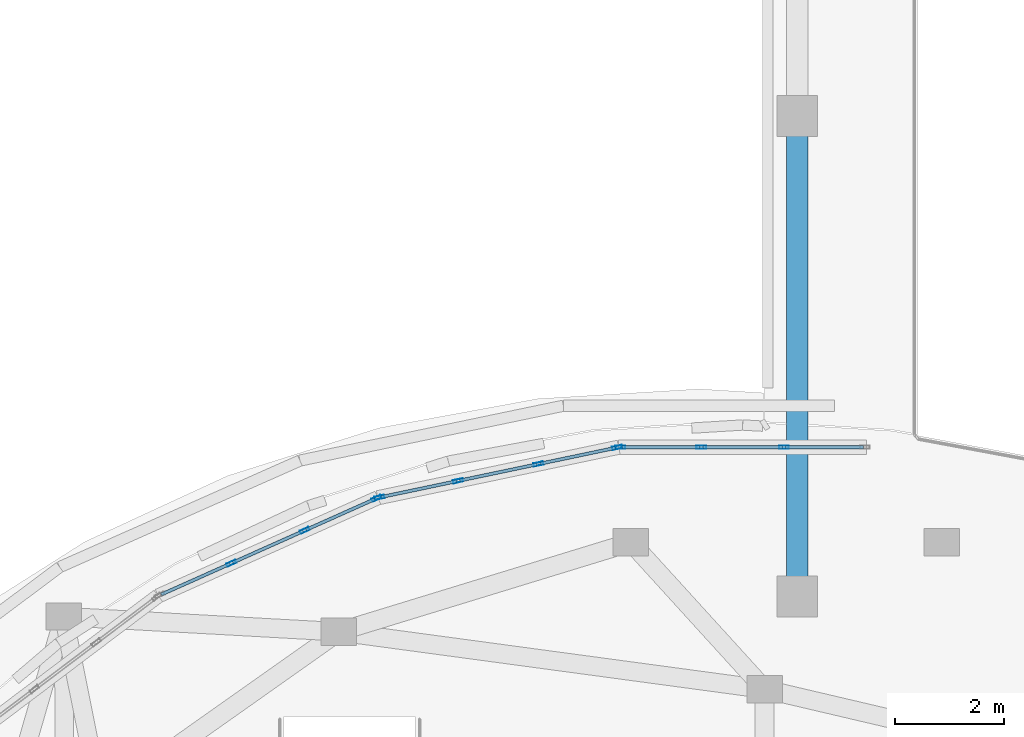
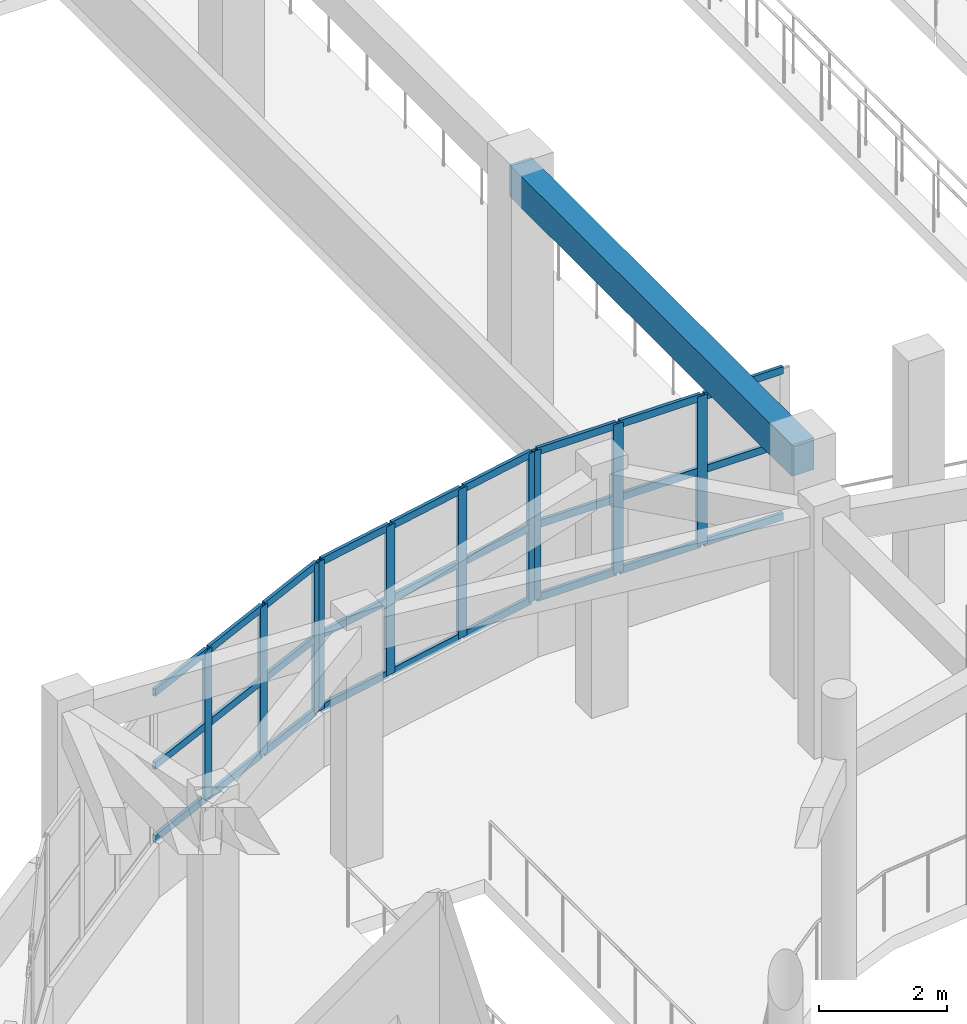
# One storey, part 15 of 98: 37 members, 1 beam, 3 elements without a shape of their own.
"""IFC4 building model written with IfcOpenShell, lengths in metres."""

from ifc_helpers import new_model, si_unit, direction, frame, origin, origin_2d, place, context, subcontext, project, spatial, rectangle, hollow_rectangle, extrude, material, layer, layer_set, material_profile, profile_set, type_object, element, aggregate, save


model = new_model("IFC4")

# Units and contexts
model_context = context("Model", 3, precision=1e-05, world=origin(), true_north=direction((0.0, 1.0)))
body_context = subcontext(model_context, "Body", "Model", "MODEL_VIEW")
ifc_project = project(units=[si_unit("LENGTHUNIT", "METRE"), si_unit("AREAUNIT", "SQUARE_METRE"), si_unit("VOLUMEUNIT", "CUBIC_METRE"), si_unit("PLANEANGLEUNIT", "RADIAN"), si_unit("MASSUNIT", "GRAM", prefix="KILO")], contexts=[model_context])

# Site, building, storey
site_placement = place(None, origin())
site = spatial("IfcSite", under=ifc_project, at=site_placement, CompositionType="ELEMENT")
building_placement = place(site_placement, origin())
building = spatial("IfcBuilding", under=site, at=building_placement, Name="Pelvatis Terrace Science Centre", CompositionType="ELEMENT")
storey_placement = place(building_placement, frame((0.0, 0.0, 5.39990234375)))
storey = spatial("IfcBuildingStorey", under=building, at=storey_placement, Name="L01", CompositionType="ELEMENT", Elevation=5.39990234375)

# Beam
ifc_material_1 = material(Name="Concrete C35/45", Category="concrete")
ifc_material_profile_1 = material_profile(ifc_material_1, rectangle(XDim=0.39990234375, YDim=0.60009765625, at=origin_2d()), Name="RC-BM 400x600")
ifc_profile_set_1 = profile_set([ifc_material_profile_1], Name="Concrete C35/45")
beam_type = type_object("IfcBeamType", Name="BM-RC-400x600", PredefinedType="BEAM", material=ifc_profile_set_1)
beam_placement = place(storey_placement, frame((47.39990234375, 48.0, 4.239990234375), z_axis=(0.0, 1.0, 0.0), x_axis=(-1.0, 0.0, 0.0)))
element("IfcBeam", 1, at=beam_placement, inside=storey, type_object=beam_type, Name="Beam BM-L01-2833", PredefinedType="BEAM", context=body_context, shape_type="SweptSolid", body=[
    extrude(rectangle(XDim=0.39990234375, YDim=0.60009765625, at=origin_2d()), origin(), (0.0, 0.0, 1.0), 8.800048828125),
])

# Curtain wall, members
ifc_material_2 = material(Name="Bronze-anodised aluminium and laminated glass", Category="aluminium")
ifc_layer = layer(ifc_material_2, 0.179931640625)
ifc_layer_set = layer_set([ifc_layer], Name="Bronze-anodised aluminium and laminated glass")
curtain_wall_type = type_object("IfcCurtainWallType", Name="CW-RIBBON-A", PredefinedType="NOTDEFINED", material=ifc_layer_set)
curtain_wall_1_placement = place(storey_placement, origin())
curtain_wall_1 = element("IfcCurtainWall", 2, at=curtain_wall_1_placement, inside=storey, type_object=curtain_wall_type, Name="Ribbon curtain wall CW-023 (L01)", PredefinedType="NOTDEFINED")
ifc_material_3 = material(Name="Bronze-anodised aluminium 6063-T6", Category="aluminium")
ifc_material_profile_2 = material_profile(ifc_material_3, hollow_rectangle(XDim=0.06005859375, YDim=0.179931640625, WallThickness=0.00390625, at=origin_2d()), Name="ALU-MUL 60x180")
ifc_profile_set_2 = profile_set([ifc_material_profile_2], Name="Bronze-anodised aluminium 6063-T6")
member_type_1 = type_object("IfcMemberType", Name="CWM-60x180", PredefinedType="MULLION", material=ifc_profile_set_2)
member_1_placement = place(storey_placement, frame((47.157470703125, 50.73291015625, 1.02001953125), z_axis=(0.0, 0.0, 1.0), x_axis=(0.0, -1.0, 0.0)))
member_1 = element("IfcMember", 3, at=member_1_placement, type_object=member_type_1, Name="CW-023 mullion 2", PredefinedType="MULLION", context=body_context, shape_type="SweptSolid", body=[
    extrude(hollow_rectangle(XDim=0.06005859375, YDim=0.179931640625, WallThickness=0.00390625, at=origin_2d()), origin(), (0.0, 0.0, 1.0), 2.840087890625),
])
member_2_placement = place(storey_placement, frame((45.642578125, 50.73291015625, 1.02001953125), z_axis=(0.0, 0.0, 1.0), x_axis=(0.0, -1.0, 0.0)))
member_2 = element("IfcMember", 4, at=member_2_placement, type_object=member_type_1, Name="CW-023 mullion 3", PredefinedType="MULLION", context=body_context, shape_type="SweptSolid", body=[
    extrude(hollow_rectangle(XDim=0.06005859375, YDim=0.179931640625, WallThickness=0.00390625, at=origin_2d()), origin(), (0.0, 0.0, 1.0), 2.840087890625),
])
member_3_placement = place(storey_placement, frame((44.157958984375, 50.73291015625, 1.02001953125), z_axis=(0.0, 0.0, 1.0), x_axis=(0.0, -1.0, 0.0)))
member_3 = element("IfcMember", 5, at=member_3_placement, type_object=member_type_1, Name="CW-023 mullion 4", PredefinedType="MULLION", context=body_context, shape_type="SweptSolid", body=[
    extrude(hollow_rectangle(XDim=0.06005859375, YDim=0.179931640625, WallThickness=0.00390625, at=origin_2d()), origin(), (0.0, 0.0, 1.0), 2.840087890625),
])

curtain_wall_2_placement = place(storey_placement, origin())
curtain_wall_2 = element("IfcCurtainWall", 6, at=curtain_wall_2_placement, inside=storey, type_object=curtain_wall_type, Name="Ribbon curtain wall CW-024 (L01)", PredefinedType="NOTDEFINED")
member_4_placement = place(storey_placement, frame((44.0986328125, 50.726806640625, 1.02001953125), z_axis=(0.0, 0.0, 1.0), x_axis=(0.205397839698, -0.978678561862, 0.0)))
member_4 = element("IfcMember", 7, at=member_4_placement, type_object=member_type_1, Name="CW-024 mullion 1", PredefinedType="MULLION", context=body_context, shape_type="SweptSolid", body=[
    extrude(hollow_rectangle(XDim=0.06005859375, YDim=0.179931640625, WallThickness=0.00390625, at=origin_2d()), origin(), (0.0, 0.0, 1.0), 2.840087890625),
])
member_5_placement = place(storey_placement, frame((42.6572265625, 50.42431640625, 1.02001953125), z_axis=(0.0, 0.0, 1.0), x_axis=(0.205397839698, -0.978678561862, 0.0)))
member_5 = element("IfcMember", 8, at=member_5_placement, type_object=member_type_1, Name="CW-024 mullion 2", PredefinedType="MULLION", context=body_context, shape_type="SweptSolid", body=[
    extrude(hollow_rectangle(XDim=0.06005859375, YDim=0.179931640625, WallThickness=0.00390625, at=origin_2d()), origin(), (0.0, 0.0, 1.0), 2.840087890625),
])
member_6_placement = place(storey_placement, frame((41.1865234375, 50.11572265625, 1.02001953125), z_axis=(0.0, 0.0, 1.0), x_axis=(0.205397839698, -0.978678561862, 0.0)))
member_6 = element("IfcMember", 9, at=member_6_placement, type_object=member_type_1, Name="CW-024 mullion 3", PredefinedType="MULLION", context=body_context, shape_type="SweptSolid", body=[
    extrude(hollow_rectangle(XDim=0.06005859375, YDim=0.179931640625, WallThickness=0.00390625, at=origin_2d()), origin(), (0.0, 0.0, 1.0), 2.840087890625),
])
member_7_placement = place(storey_placement, frame((39.7451171875, 49.813232421875, 1.02001953125), z_axis=(0.0, 0.0, 1.0), x_axis=(0.205397839698, -0.978678561862, 0.0)))
member_7 = element("IfcMember", 10, at=member_7_placement, type_object=member_type_1, Name="CW-024 mullion 4", PredefinedType="MULLION", context=body_context, shape_type="SweptSolid", body=[
    extrude(hollow_rectangle(XDim=0.06005859375, YDim=0.179931640625, WallThickness=0.00390625, at=origin_2d()), origin(), (0.0, 0.0, 1.0), 2.840087890625),
])

curtain_wall_3_placement = place(storey_placement, origin())
curtain_wall_3 = element("IfcCurtainWall", 11, at=curtain_wall_3_placement, inside=storey, type_object=curtain_wall_type, Name="Ribbon curtain wall CW-025 (L01)", PredefinedType="NOTDEFINED")
member_8_placement = place(storey_placement, frame((39.688232421875, 49.794677734375, 1.02001953125), z_axis=(0.0, 0.0, 1.0), x_axis=(0.407992377394, -0.91298533394, 0.0)))
member_8 = element("IfcMember", 12, at=member_8_placement, type_object=member_type_1, Name="CW-025 mullion 1", PredefinedType="MULLION", context=body_context, shape_type="SweptSolid", body=[
    extrude(hollow_rectangle(XDim=0.06005859375, YDim=0.179931640625, WallThickness=0.00390625, at=origin_2d()), origin(), (0.0, 0.0, 1.0), 2.840087890625),
])
member_9_placement = place(storey_placement, frame((38.37451171875, 49.20751953125, 1.02001953125), z_axis=(0.0, 0.0, 1.0), x_axis=(0.407992377394, -0.91298533394, 0.0)))
member_9 = element("IfcMember", 13, at=member_9_placement, type_object=member_type_1, Name="CW-025 mullion 2", PredefinedType="MULLION", context=body_context, shape_type="SweptSolid", body=[
    extrude(hollow_rectangle(XDim=0.06005859375, YDim=0.179931640625, WallThickness=0.00390625, at=origin_2d()), origin(), (0.0, 0.0, 1.0), 2.840087890625),
])
member_10_placement = place(storey_placement, frame((37.033203125, 48.608154296875, 1.02001953125), z_axis=(0.0, 0.0, 1.0), x_axis=(0.407992377394, -0.91298533394, 0.0)))
member_10 = element("IfcMember", 14, at=member_10_placement, type_object=member_type_1, Name="CW-025 mullion 3", PredefinedType="MULLION", context=body_context, shape_type="SweptSolid", body=[
    extrude(hollow_rectangle(XDim=0.06005859375, YDim=0.179931640625, WallThickness=0.00390625, at=origin_2d()), origin(), (0.0, 0.0, 1.0), 2.840087890625),
])

# Member
ifc_material_4 = material(Name="Bronze-anodised aluminium 6063-T6", Category="aluminium")
ifc_material_profile_3 = material_profile(ifc_material_4, hollow_rectangle(XDim=0.06005859375, YDim=0.139892578125, WallThickness=0.00390625, at=origin_2d()), Name="ALU-TRN 60x140")
ifc_profile_set_3 = profile_set([ifc_material_profile_3], Name="Bronze-anodised aluminium 6063-T6")
member_type_2 = type_object("IfcMemberType", Name="CWT-60x140", PredefinedType="USERDEFINED", material=ifc_profile_set_3)
member_11_placement = place(storey_placement, frame((48.612060546875, 50.73291015625, 1.050048828125), z_axis=(-1.0, 0.0, 0.0), x_axis=(0.0, -1.0, 0.0)))
member_11 = element("IfcMember", 15, at=member_11_placement, type_object=member_type_2, Name="CW-023 transom 1.1", ObjectType="TRANSOM", PredefinedType="USERDEFINED", context=body_context, shape_type="SweptSolid", body=[
    extrude(hollow_rectangle(XDim=0.06005859375, YDim=0.139892578125, WallThickness=0.00390625, at=origin_2d()), origin(), (0.0, 0.0, 1.0), 1.4248046875),
])

member_12_placement = place(storey_placement, frame((48.612060546875, 50.73291015625, 2.440185546875), z_axis=(-1.0, 0.0, 0.0), x_axis=(0.0, -1.0, 0.0)))
member_12 = element("IfcMember", 16, at=member_12_placement, type_object=member_type_2, Name="CW-023 transom 1.2", ObjectType="TRANSOM", PredefinedType="USERDEFINED", context=body_context, shape_type="SweptSolid", body=[
    extrude(hollow_rectangle(XDim=0.06005859375, YDim=0.139892578125, WallThickness=0.00390625, at=origin_2d()), origin(), (0.0, 0.0, 1.0), 1.4248046875),
])

member_13_placement = place(storey_placement, frame((48.612060546875, 50.73291015625, 3.830078125), z_axis=(-1.0, 0.0, 0.0), x_axis=(0.0, -1.0, 0.0)))
member_13 = element("IfcMember", 17, at=member_13_placement, type_object=member_type_2, Name="CW-023 transom 1.3", ObjectType="TRANSOM", PredefinedType="USERDEFINED", context=body_context, shape_type="SweptSolid", body=[
    extrude(hollow_rectangle(XDim=0.06005859375, YDim=0.139892578125, WallThickness=0.00390625, at=origin_2d()), origin(), (0.0, 0.0, 1.0), 1.4248046875),
])

member_14_placement = place(storey_placement, frame((47.12744140625, 50.73291015625, 1.050048828125), z_axis=(-1.0, 0.0, 0.0), x_axis=(0.0, -1.0, 0.0)))
member_14 = element("IfcMember", 18, at=member_14_placement, type_object=member_type_2, Name="CW-023 transom 2.1", ObjectType="TRANSOM", PredefinedType="USERDEFINED", context=body_context, shape_type="SweptSolid", body=[
    extrude(hollow_rectangle(XDim=0.06005859375, YDim=0.139892578125, WallThickness=0.00390625, at=origin_2d()), origin(), (0.0, 0.0, 1.0), 1.454833984375),
])

member_15_placement = place(storey_placement, frame((47.12744140625, 50.73291015625, 2.440185546875), z_axis=(-1.0, 0.0, 0.0), x_axis=(0.0, -1.0, 0.0)))
member_15 = element("IfcMember", 19, at=member_15_placement, type_object=member_type_2, Name="CW-023 transom 2.2", ObjectType="TRANSOM", PredefinedType="USERDEFINED", context=body_context, shape_type="SweptSolid", body=[
    extrude(hollow_rectangle(XDim=0.06005859375, YDim=0.139892578125, WallThickness=0.00390625, at=origin_2d()), origin(), (0.0, 0.0, 1.0), 1.454833984375),
])

member_16_placement = place(storey_placement, frame((47.12744140625, 50.73291015625, 3.830078125), z_axis=(-1.0, 0.0, 0.0), x_axis=(0.0, -1.0, 0.0)))
member_16 = element("IfcMember", 20, at=member_16_placement, type_object=member_type_2, Name="CW-023 transom 2.3", ObjectType="TRANSOM", PredefinedType="USERDEFINED", context=body_context, shape_type="SweptSolid", body=[
    extrude(hollow_rectangle(XDim=0.06005859375, YDim=0.139892578125, WallThickness=0.00390625, at=origin_2d()), origin(), (0.0, 0.0, 1.0), 1.454833984375),
])

member_17_placement = place(storey_placement, frame((45.612548828125, 50.73291015625, 1.050048828125), z_axis=(-1.0, 0.0, 0.0), x_axis=(0.0, -1.0, 0.0)))
member_17 = element("IfcMember", 21, at=member_17_placement, type_object=member_type_2, Name="CW-023 transom 3.1", ObjectType="TRANSOM", PredefinedType="USERDEFINED", context=body_context, shape_type="SweptSolid", body=[
    extrude(hollow_rectangle(XDim=0.06005859375, YDim=0.139892578125, WallThickness=0.00390625, at=origin_2d()), origin(), (0.0, 0.0, 1.0), 1.424560546875),
])

member_18_placement = place(storey_placement, frame((45.612548828125, 50.73291015625, 2.440185546875), z_axis=(-1.0, 0.0, 0.0), x_axis=(0.0, -1.0, 0.0)))
member_18 = element("IfcMember", 22, at=member_18_placement, type_object=member_type_2, Name="CW-023 transom 3.2", ObjectType="TRANSOM", PredefinedType="USERDEFINED", context=body_context, shape_type="SweptSolid", body=[
    extrude(hollow_rectangle(XDim=0.06005859375, YDim=0.139892578125, WallThickness=0.00390625, at=origin_2d()), origin(), (0.0, 0.0, 1.0), 1.424560546875),
])

member_19_placement = place(storey_placement, frame((45.612548828125, 50.73291015625, 3.830078125), z_axis=(-1.0, 0.0, 0.0), x_axis=(0.0, -1.0, 0.0)))
member_19 = element("IfcMember", 23, at=member_19_placement, type_object=member_type_2, Name="CW-023 transom 3.3", ObjectType="TRANSOM", PredefinedType="USERDEFINED", context=body_context, shape_type="SweptSolid", body=[
    extrude(hollow_rectangle(XDim=0.06005859375, YDim=0.139892578125, WallThickness=0.00390625, at=origin_2d()), origin(), (0.0, 0.0, 1.0), 1.424560546875),
])

aggregate(curtain_wall_1, [member_1, member_2, member_3, member_11, member_12, member_13, member_14, member_15, member_16, member_17, member_18, member_19])

member_20_placement = place(storey_placement, frame((44.069091796875, 50.720703125, 1.050048828125), z_axis=(-0.978661490355, -0.205479165113, 0.0), x_axis=(0.205479165113, -0.978661490355, 0.0)))
member_20 = element("IfcMember", 24, at=member_20_placement, type_object=member_type_2, Name="CW-024 transom 1.1", ObjectType="TRANSOM", PredefinedType="USERDEFINED", context=body_context, shape_type="SweptSolid", body=[
    extrude(hollow_rectangle(XDim=0.06005859375, YDim=0.139892578125, WallThickness=0.00390625, at=origin_2d()), origin(), (0.0, 0.0, 1.0), 1.41259765625),
])

member_21_placement = place(storey_placement, frame((44.069091796875, 50.720703125, 2.440185546875), z_axis=(-0.978661490355, -0.205479165113, 0.0), x_axis=(0.205479165113, -0.978661490355, 0.0)))
member_21 = element("IfcMember", 25, at=member_21_placement, type_object=member_type_2, Name="CW-024 transom 1.2", ObjectType="TRANSOM", PredefinedType="USERDEFINED", context=body_context, shape_type="SweptSolid", body=[
    extrude(hollow_rectangle(XDim=0.06005859375, YDim=0.139892578125, WallThickness=0.00390625, at=origin_2d()), origin(), (0.0, 0.0, 1.0), 1.41259765625),
])

member_22_placement = place(storey_placement, frame((44.069091796875, 50.720703125, 3.830078125), z_axis=(-0.978661490355, -0.205479165113, 0.0), x_axis=(0.205479165113, -0.978661490355, 0.0)))
member_22 = element("IfcMember", 26, at=member_22_placement, type_object=member_type_2, Name="CW-024 transom 1.3", ObjectType="TRANSOM", PredefinedType="USERDEFINED", context=body_context, shape_type="SweptSolid", body=[
    extrude(hollow_rectangle(XDim=0.06005859375, YDim=0.139892578125, WallThickness=0.00390625, at=origin_2d()), origin(), (0.0, 0.0, 1.0), 1.41259765625),
])

member_23_placement = place(storey_placement, frame((42.627685546875, 50.418212890625, 1.050048828125), z_axis=(-0.978668130306, -0.205447537643, 0.0), x_axis=(0.205447537643, -0.978668130306, 0.0)))
member_23 = element("IfcMember", 27, at=member_23_placement, type_object=member_type_2, Name="CW-024 transom 2.1", ObjectType="TRANSOM", PredefinedType="USERDEFINED", context=body_context, shape_type="SweptSolid", body=[
    extrude(hollow_rectangle(XDim=0.06005859375, YDim=0.139892578125, WallThickness=0.00390625, at=origin_2d()), origin(), (0.0, 0.0, 1.0), 1.442626953125),
])

member_24_placement = place(storey_placement, frame((42.627685546875, 50.418212890625, 2.440185546875), z_axis=(-0.978668130306, -0.205447537643, 0.0), x_axis=(0.205447537643, -0.978668130306, 0.0)))
member_24 = element("IfcMember", 28, at=member_24_placement, type_object=member_type_2, Name="CW-024 transom 2.2", ObjectType="TRANSOM", PredefinedType="USERDEFINED", context=body_context, shape_type="SweptSolid", body=[
    extrude(hollow_rectangle(XDim=0.06005859375, YDim=0.139892578125, WallThickness=0.00390625, at=origin_2d()), origin(), (0.0, 0.0, 1.0), 1.442626953125),
])

member_25_placement = place(storey_placement, frame((42.627685546875, 50.418212890625, 3.830078125), z_axis=(-0.978668130306, -0.205447537643, 0.0), x_axis=(0.205447537643, -0.978668130306, 0.0)))
member_25 = element("IfcMember", 29, at=member_25_placement, type_object=member_type_2, Name="CW-024 transom 2.3", ObjectType="TRANSOM", PredefinedType="USERDEFINED", context=body_context, shape_type="SweptSolid", body=[
    extrude(hollow_rectangle(XDim=0.06005859375, YDim=0.139892578125, WallThickness=0.00390625, at=origin_2d()), origin(), (0.0, 0.0, 1.0), 1.442626953125),
])

member_26_placement = place(storey_placement, frame((41.156982421875, 50.109619140625, 1.050048828125), z_axis=(-0.978661490355, -0.205479165113, 0.0), x_axis=(0.205479165113, -0.978661490355, 0.0)))
member_26 = element("IfcMember", 30, at=member_26_placement, type_object=member_type_2, Name="CW-024 transom 3.1", ObjectType="TRANSOM", PredefinedType="USERDEFINED", context=body_context, shape_type="SweptSolid", body=[
    extrude(hollow_rectangle(XDim=0.06005859375, YDim=0.139892578125, WallThickness=0.00390625, at=origin_2d()), origin(), (0.0, 0.0, 1.0), 1.41259765625),
])

member_27_placement = place(storey_placement, frame((41.156982421875, 50.109619140625, 2.440185546875), z_axis=(-0.978661490355, -0.205479165113, 0.0), x_axis=(0.205479165113, -0.978661490355, 0.0)))
member_27 = element("IfcMember", 31, at=member_27_placement, type_object=member_type_2, Name="CW-024 transom 3.2", ObjectType="TRANSOM", PredefinedType="USERDEFINED", context=body_context, shape_type="SweptSolid", body=[
    extrude(hollow_rectangle(XDim=0.06005859375, YDim=0.139892578125, WallThickness=0.00390625, at=origin_2d()), origin(), (0.0, 0.0, 1.0), 1.41259765625),
])

member_28_placement = place(storey_placement, frame((41.156982421875, 50.109619140625, 3.830078125), z_axis=(-0.978661490355, -0.205479165113, 0.0), x_axis=(0.205479165113, -0.978661490355, 0.0)))
member_28 = element("IfcMember", 32, at=member_28_placement, type_object=member_type_2, Name="CW-024 transom 3.3", ObjectType="TRANSOM", PredefinedType="USERDEFINED", context=body_context, shape_type="SweptSolid", body=[
    extrude(hollow_rectangle(XDim=0.06005859375, YDim=0.139892578125, WallThickness=0.00390625, at=origin_2d()), origin(), (0.0, 0.0, 1.0), 1.41259765625),
])

aggregate(curtain_wall_2, [member_4, member_5, member_6, member_7, member_20, member_21, member_22, member_23, member_24, member_25, member_26, member_27, member_28])

member_29_placement = place(storey_placement, frame((39.660888671875, 49.782470703125, 1.050048828125), z_axis=(-0.913021337165, -0.407911801596, 0.0), x_axis=(0.407911801596, -0.913021337165, 0.0)))
member_29 = element("IfcMember", 33, at=member_29_placement, type_object=member_type_2, Name="CW-025 transom 1.1", ObjectType="TRANSOM", PredefinedType="USERDEFINED", context=body_context, shape_type="SweptSolid", body=[
    extrude(hollow_rectangle(XDim=0.06005859375, YDim=0.139892578125, WallThickness=0.00390625, at=origin_2d()), origin(), (0.0, 0.0, 1.0), 1.37890625),
])

member_30_placement = place(storey_placement, frame((39.660888671875, 49.782470703125, 2.440185546875), z_axis=(-0.913021337165, -0.407911801596, 0.0), x_axis=(0.407911801596, -0.913021337165, 0.0)))
member_30 = element("IfcMember", 34, at=member_30_placement, type_object=member_type_2, Name="CW-025 transom 1.2", ObjectType="TRANSOM", PredefinedType="USERDEFINED", context=body_context, shape_type="SweptSolid", body=[
    extrude(hollow_rectangle(XDim=0.06005859375, YDim=0.139892578125, WallThickness=0.00390625, at=origin_2d()), origin(), (0.0, 0.0, 1.0), 1.37890625),
])

member_31_placement = place(storey_placement, frame((39.660888671875, 49.782470703125, 3.830078125), z_axis=(-0.913021337165, -0.407911801596, 0.0), x_axis=(0.407911801596, -0.913021337165, 0.0)))
member_31 = element("IfcMember", 35, at=member_31_placement, type_object=member_type_2, Name="CW-025 transom 1.3", ObjectType="TRANSOM", PredefinedType="USERDEFINED", context=body_context, shape_type="SweptSolid", body=[
    extrude(hollow_rectangle(XDim=0.06005859375, YDim=0.139892578125, WallThickness=0.00390625, at=origin_2d()), origin(), (0.0, 0.0, 1.0), 1.37890625),
])

member_32_placement = place(storey_placement, frame((38.34716796875, 49.1953125, 1.050048828125), z_axis=(-0.913052640115, -0.40784172957, 0.0), x_axis=(0.40784172957, -0.913052640115, 0.0)))
member_32 = element("IfcMember", 36, at=member_32_placement, type_object=member_type_2, Name="CW-025 transom 2.1", ObjectType="TRANSOM", PredefinedType="USERDEFINED", context=body_context, shape_type="SweptSolid", body=[
    extrude(hollow_rectangle(XDim=0.06005859375, YDim=0.139892578125, WallThickness=0.00390625, at=origin_2d()), origin(), (0.0, 0.0, 1.0), 1.4091796875),
])

member_33_placement = place(storey_placement, frame((38.34716796875, 49.1953125, 2.440185546875), z_axis=(-0.913052640115, -0.40784172957, 0.0), x_axis=(0.40784172957, -0.913052640115, 0.0)))
member_33 = element("IfcMember", 37, at=member_33_placement, type_object=member_type_2, Name="CW-025 transom 2.2", ObjectType="TRANSOM", PredefinedType="USERDEFINED", context=body_context, shape_type="SweptSolid", body=[
    extrude(hollow_rectangle(XDim=0.06005859375, YDim=0.139892578125, WallThickness=0.00390625, at=origin_2d()), origin(), (0.0, 0.0, 1.0), 1.4091796875),
])

member_34_placement = place(storey_placement, frame((38.34716796875, 49.1953125, 3.830078125), z_axis=(-0.913052640115, -0.40784172957, 0.0), x_axis=(0.40784172957, -0.913052640115, 0.0)))
member_34 = element("IfcMember", 38, at=member_34_placement, type_object=member_type_2, Name="CW-025 transom 2.3", ObjectType="TRANSOM", PredefinedType="USERDEFINED", context=body_context, shape_type="SweptSolid", body=[
    extrude(hollow_rectangle(XDim=0.06005859375, YDim=0.139892578125, WallThickness=0.00390625, at=origin_2d()), origin(), (0.0, 0.0, 1.0), 1.4091796875),
])

member_35_placement = place(storey_placement, frame((37.005859375, 48.595947265625, 1.050048828125), z_axis=(-0.913021337165, -0.407911801596, 0.0), x_axis=(0.407911801596, -0.913021337165, 0.0)))
member_35 = element("IfcMember", 39, at=member_35_placement, type_object=member_type_2, Name="CW-025 transom 3.1", ObjectType="TRANSOM", PredefinedType="USERDEFINED", context=body_context, shape_type="SweptSolid", body=[
    extrude(hollow_rectangle(XDim=0.06005859375, YDim=0.139892578125, WallThickness=0.00390625, at=origin_2d()), origin(), (0.0, 0.0, 1.0), 1.37890625),
])

member_36_placement = place(storey_placement, frame((37.005859375, 48.595947265625, 2.440185546875), z_axis=(-0.913021337165, -0.407911801596, 0.0), x_axis=(0.407911801596, -0.913021337165, 0.0)))
member_36 = element("IfcMember", 40, at=member_36_placement, type_object=member_type_2, Name="CW-025 transom 3.2", ObjectType="TRANSOM", PredefinedType="USERDEFINED", context=body_context, shape_type="SweptSolid", body=[
    extrude(hollow_rectangle(XDim=0.06005859375, YDim=0.139892578125, WallThickness=0.00390625, at=origin_2d()), origin(), (0.0, 0.0, 1.0), 1.37890625),
])

member_37_placement = place(storey_placement, frame((37.005859375, 48.595947265625, 3.830078125), z_axis=(-0.913021337165, -0.407911801596, 0.0), x_axis=(0.407911801596, -0.913021337165, 0.0)))
member_37 = element("IfcMember", 41, at=member_37_placement, type_object=member_type_2, Name="CW-025 transom 3.3", ObjectType="TRANSOM", PredefinedType="USERDEFINED", context=body_context, shape_type="SweptSolid", body=[
    extrude(hollow_rectangle(XDim=0.06005859375, YDim=0.139892578125, WallThickness=0.00390625, at=origin_2d()), origin(), (0.0, 0.0, 1.0), 1.37890625),
])

aggregate(curtain_wall_3, [member_8, member_9, member_10, member_29, member_30, member_31, member_32, member_33, member_34, member_35, member_36, member_37])

save(model, "model.ifc")
